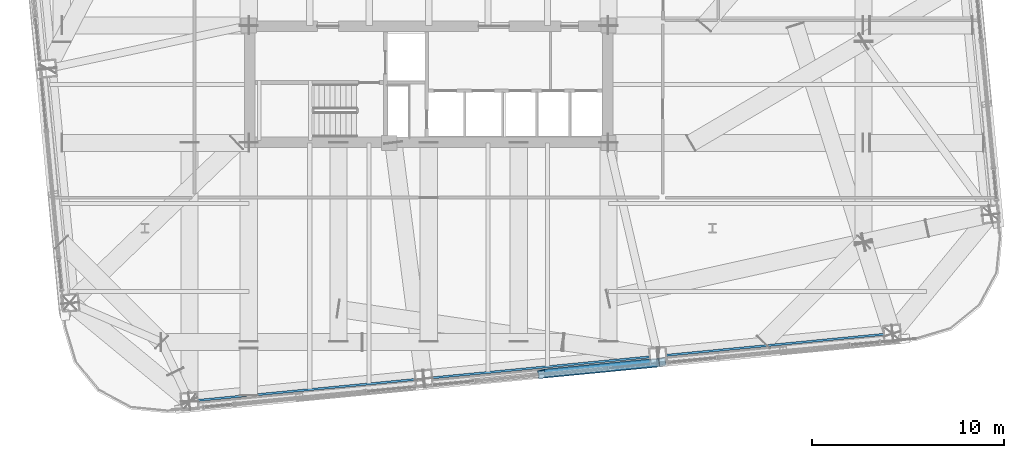
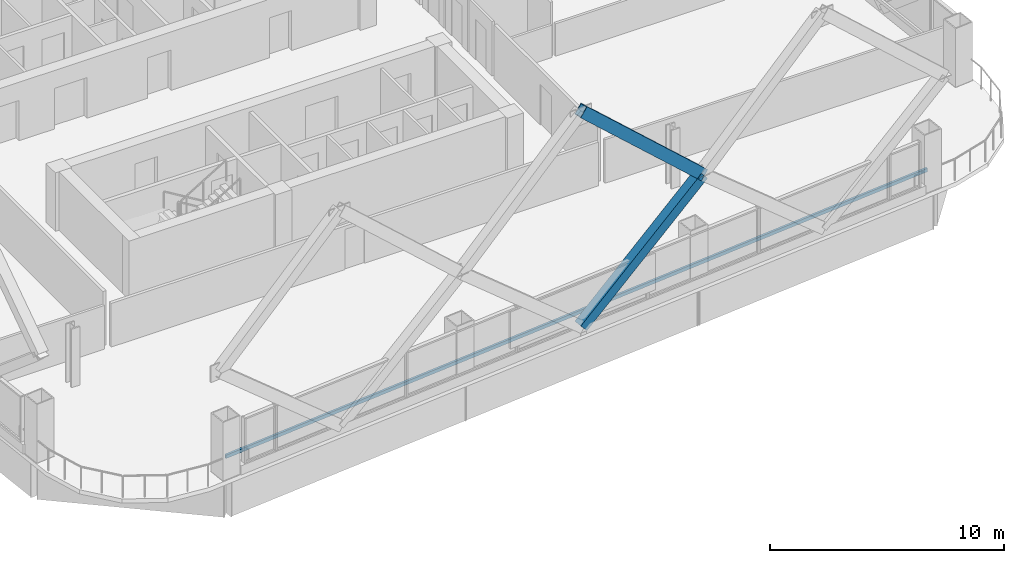
# One storey, part 9 of 42: 3 members.
"""IFC4 building model written with IfcOpenShell, lengths in metres."""

from ifc_helpers import new_model, si_unit, direction, frame, origin, origin_2d, place, context, subcontext, project, spatial, hollow_rectangle, extrude, material, material_profile, profile_set, type_object, element, save


model = new_model("IFC4")

# Units and contexts
model_context = context("Model", 3, precision=1e-05, world=origin(), true_north=direction((0.0, 1.0)))
body_context = subcontext(model_context, "Body", "Model", "MODEL_VIEW")
ifc_project = project(units=[si_unit("LENGTHUNIT", "METRE"), si_unit("AREAUNIT", "SQUARE_METRE"), si_unit("VOLUMEUNIT", "CUBIC_METRE"), si_unit("PLANEANGLEUNIT", "RADIAN"), si_unit("MASSUNIT", "GRAM", prefix="KILO")], contexts=[model_context])

# Site, building, storey
site_placement = place(None, origin())
site = spatial("IfcSite", under=ifc_project, at=site_placement, CompositionType="ELEMENT")
building_placement = place(site_placement, origin())
building = spatial("IfcBuilding", under=site, at=building_placement, Name="Qhalaya Broadcast Tower", CompositionType="ELEMENT")
storey_placement = place(building_placement, frame((0.0, 0.0, 69.449951171875)))
storey = spatial("IfcBuildingStorey", under=building, at=storey_placement, Name="L19", CompositionType="ELEMENT", Elevation=69.449951171875)

# Members
ifc_material_1 = material(Name="Structural Steel ASTM A572 Grade 50", Category="steel")
ifc_material_profile_1 = material_profile(ifc_material_1, hollow_rectangle(XDim=0.419921875, YDim=0.550048828125, WallThickness=0.028076171875, at=origin_2d()), Name="BOX 420x550x28")
ifc_profile_set_1 = profile_set([ifc_material_profile_1], Name="Structural Steel ASTM A572 Grade 50")
member_type_1 = type_object("IfcMemberType", Name="Exoskeleton Diamond Diagonal Mid-Low EX2", PredefinedType="BRACE", material=ifc_profile_set_1)
member_1_placement = place(storey_placement, frame((5.882568359375, -20.78759765625, 0.360107421875), z_axis=(0.758623109813, 0.073068265137, 0.647419497612), x_axis=(-0.157198457908, 0.984861786248, 0.07304729167)))
element("IfcMember", 1, at=member_1_placement, inside=storey, type_object=member_type_1, Name="B2 Exoskeleton Diamond Brace S2-D2", PredefinedType="BRACE", context=body_context, shape_type="SweptSolid", body=[
    extrude(hollow_rectangle(XDim=0.419921875, YDim=0.550048828125, WallThickness=0.028076171875, at=origin_2d()), origin(), (0.0, 0.0, 1.0), 8.309814453125),
])
member_2_placement = place(storey_placement, frame((12.1865234375, -20.180419921875, 5.739990234375), z_axis=(-0.730604909432, -0.070369637495, 0.679164619538), x_axis=(0.160227077256, -0.984570078865, 0.07034943864)))
element("IfcMember", 2, at=member_2_placement, inside=storey, type_object=member_type_1, Name="B2 Exoskeleton Diamond Brace S2-D4", PredefinedType="BRACE", context=body_context, shape_type="SweptSolid", body=[
    extrude(hollow_rectangle(XDim=0.419921875, YDim=0.550048828125, WallThickness=0.028076171875, at=origin_2d()), origin(), (0.0, 0.0, 1.0), 8.62841796875),
])
ifc_material_2 = material(Name="Fired Architectural Terracotta", Category="masonry")
ifc_material_profile_2 = material_profile(ifc_material_2, hollow_rectangle(XDim=0.110107421875, YDim=0.179931640625, WallThickness=0.01806640625, at=origin_2d()), Name="TB-BAG 110x180x18")
ifc_profile_set_2 = profile_set([ifc_material_profile_2], Name="Fired Architectural Terracotta")
member_type_2 = type_object("IfcMemberType", Name="Fired Terracotta Facade Baguette Member TB1", PredefinedType="USERDEFINED", material=ifc_profile_set_2)
member_3_placement = place(storey_placement, frame((-12.46533203125, -22.212646484375, 0.84912109375), z_axis=(0.995396269574, 0.095845013007, 0.0), x_axis=(-0.095845013007, 0.995396269574, 0.0)))
element("IfcMember", 3, at=member_3_placement, inside=storey, type_object=member_type_2, Name="L19 Terracotta Baguette Feature Rail S", ObjectType="BAGUETTE", PredefinedType="USERDEFINED", context=body_context, shape_type="SweptSolid", body=[
    extrude(hollow_rectangle(XDim=0.110107421875, YDim=0.179931640625, WallThickness=0.01806640625, at=origin_2d()), origin(), (0.0, 0.0, 1.0), 36.800048828125),
])

save(model, "model.ifc")
